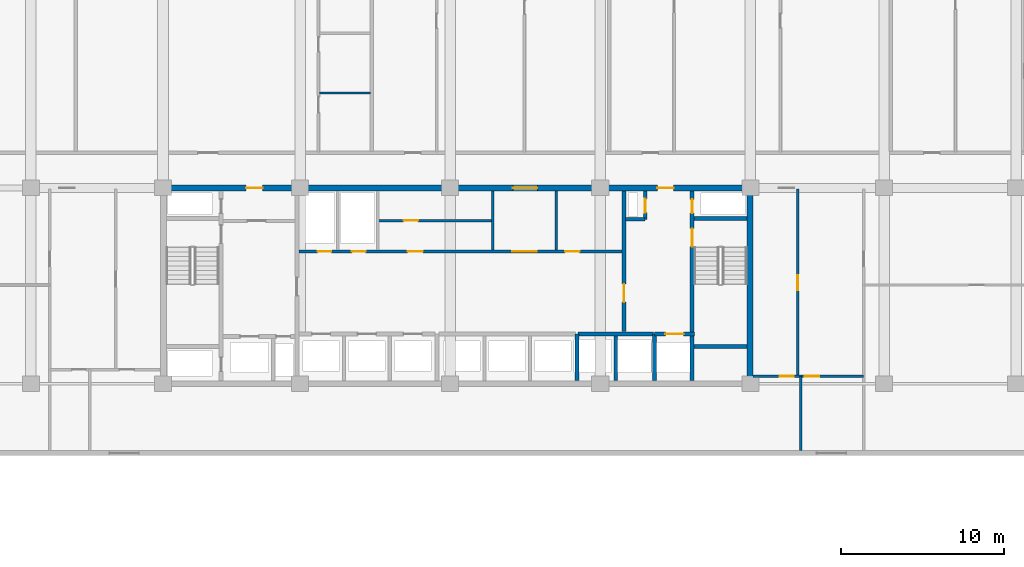
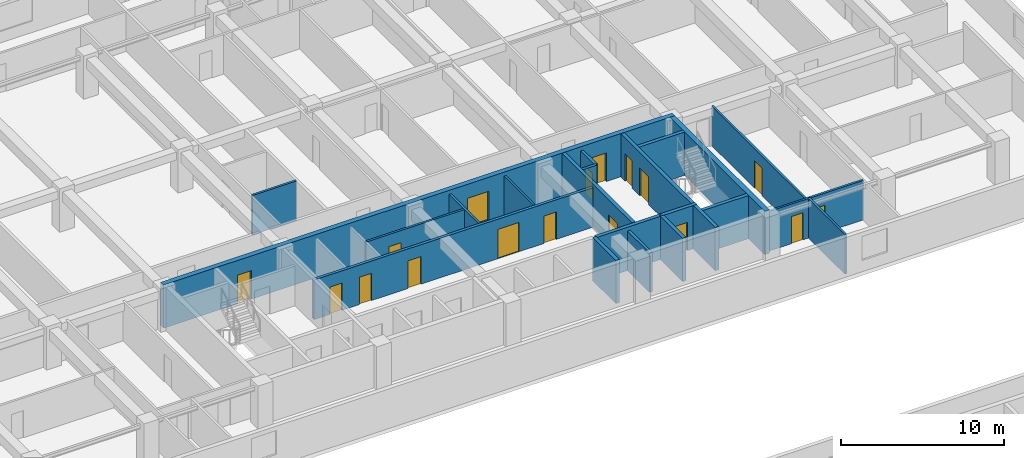
# One storey, part 12 of 24: 21 walls, 17 doors, 17 openings.
"""IFC4 building model written with IfcOpenShell, lengths in metres."""

from ifc_helpers import new_model, si_unit, direction, frame, frame_2d, origin, place, context, subcontext, project, spatial, rectangle, extrude, material, layer, layer_set, type_object, element, fill, save


model = new_model("IFC4")

# Units and contexts
model_context = context("Model", 3, precision=1e-05, world=origin(), true_north=direction((0.0, 1.0)))
body_context = subcontext(model_context, "Body", "Model", "MODEL_VIEW")
ifc_project = project(units=[si_unit("LENGTHUNIT", "METRE"), si_unit("AREAUNIT", "SQUARE_METRE"), si_unit("VOLUMEUNIT", "CUBIC_METRE"), si_unit("PLANEANGLEUNIT", "RADIAN"), si_unit("MASSUNIT", "GRAM", prefix="KILO")], contexts=[model_context])

# Site, building, storey
site_placement = place(None, origin())
site = spatial("IfcSite", under=ifc_project, at=site_placement, CompositionType="ELEMENT")
building_placement = place(site_placement, origin())
building = spatial("IfcBuilding", under=site, at=building_placement, Name="Korimba Cascade Residences", CompositionType="ELEMENT")
storey_placement = place(building_placement, frame((0.0, 0.0, 43.5)))
storey = spatial("IfcBuildingStorey", under=building, at=storey_placement, Name="L11", CompositionType="ELEMENT", Elevation=43.5)

# Wall
ifc_material_1 = material(Name="Concrete C65/80", Category="concrete")
ifc_layer_1 = layer(ifc_material_1, 0.35009765625)
ifc_layer_set_1 = layer_set([ifc_layer_1], Name="Concrete C65/80")
wall_type_1 = type_object("IfcWallType", Name="WAL-CORE-350", PredefinedType="SHEAR", material=ifc_layer_set_1)
wall_1_placement = place(storey_placement, frame((112.074951171875, 55.375, 0.0), z_axis=(0.0, 0.0, 1.0), x_axis=(0.0, 1.0, 0.0)))
element("IfcWall", 1, at=wall_1_placement, inside=storey, type_object=wall_type_1, Name="L11 Core Shear Wall CW-L11-T1-E", PredefinedType="SHEAR", context=body_context, shape_type="SweptSolid", body=[
    extrude(rectangle(XDim=11.64990234375, YDim=0.35009765625, at=frame_2d((5.824951171875, 0.0))), origin(), (0.0, 0.0, 1.0), 3.25),
])

# Wall, openings, doors
wall_2_placement = place(storey_placement, frame((75.949951171875, 67.199951171875, 0.0), z_axis=(0.0, 0.0, 1.0), x_axis=(1.0, 0.0, 0.0)))
wall_2 = element("IfcWall", 2, at=wall_2_placement, inside=storey, type_object=wall_type_1, Name="L11 Core Shear Wall CW-L11-T1-N", PredefinedType="SHEAR", context=body_context, shape_type="SweptSolid", body=[
    extrude(rectangle(XDim=36.300048828125, YDim=0.35009765625, at=frame_2d((18.14990234375, 0.0))), origin(), (0.0, 0.0, 1.0), 3.25),
])
opening_1_placement = place(wall_2_placement, frame((5.25, 0.0, 0.0)))
opening_1 = element("IfcOpeningElement", 3, at=opening_1_placement, cuts=wall_2, Name="Opening D-FD5", PredefinedType="OPENING", context=body_context, shape_type="SweptSolid", body=[
    extrude(rectangle(XDim=1.0, YDim=2.14990234375, at=frame_2d((0.5, 1.074951171875))), frame((0.0, 0.18505859375, 0.0), z_axis=(0.0, -1.0, 0.0), x_axis=(1.0, 0.0, 0.0)), (0.0, 0.0, 1.0), 0.3701171875),
])
opening_2_placement = place(wall_2_placement, frame((21.60009765625, 0.0, 0.0)))
opening_2 = element("IfcOpeningElement", 4, at=opening_2_placement, cuts=wall_2, Name="Opening D-FD8", PredefinedType="OPENING", context=body_context, shape_type="SweptSolid", body=[
    extrude(rectangle(XDim=1.5, YDim=2.199951171875, at=frame_2d((0.75, 1.10009765625))), frame((0.0, 0.18505859375, 0.0), z_axis=(0.0, -1.0, 0.0), x_axis=(1.0, 0.0, 0.0)), (0.0, 0.0, 1.0), 0.3701171875),
])
opening_3_placement = place(wall_2_placement, frame((30.449951171875, 0.0, 0.0)))
opening_3 = element("IfcOpeningElement", 5, at=opening_3_placement, cuts=wall_2, Name="Opening D-FD5", PredefinedType="OPENING", context=body_context, shape_type="SweptSolid", body=[
    extrude(rectangle(XDim=1.0, YDim=2.14990234375, at=frame_2d((0.5, 1.074951171875))), frame((0.0, 0.18505859375, 0.0), z_axis=(0.0, -1.0, 0.0), x_axis=(1.0, 0.0, 0.0)), (0.0, 0.0, 1.0), 0.3701171875),
])
ifc_material_2 = material(Name="Fire-Rated Acoustic Timber Vestibule Door", Category="wood")
door_type_1 = type_object("IfcDoorType", Name="DR-FD90-1000", OperationType="NOTDEFINED", PredefinedType="DOOR", material=ifc_material_2)
door_1_placement = place(opening_1_placement, origin())
door_1 = element("IfcDoor", 6, at=door_1_placement, inside=storey, type_object=door_type_1, Name="L11 T1 West Core Vestibule Fire Door", OperationType="SINGLE_SWING_RIGHT", OverallHeight=2.14990234375, OverallWidth=1.0, PredefinedType="DOOR", context=body_context, shape_type="SweptSolid", body=[
    extrude(rectangle(XDim=1.0, YDim=2.14990234375, at=frame_2d((0.5, 1.074951171875))), frame((0.0, 0.02490234375, 0.0), z_axis=(0.0, -1.0, 0.0), x_axis=(1.0, 0.0, 0.0)), (0.0, 0.0, 1.0), 0.050048828125),
])
fill(opening_1, door_1)
door_2_placement = place(opening_3_placement, origin())
door_2 = element("IfcDoor", 7, at=door_2_placement, inside=storey, type_object=door_type_1, Name="L11 T1 East Firefighting Vestibule Fire Door", OperationType="SINGLE_SWING_LEFT", OverallHeight=2.14990234375, OverallWidth=1.0, PredefinedType="DOOR", context=body_context, shape_type="SweptSolid", body=[
    extrude(rectangle(XDim=1.0, YDim=2.14990234375, at=frame_2d((0.5, 1.074951171875))), frame((0.0, 0.02490234375, 0.0), z_axis=(0.0, -1.0, 0.0), x_axis=(1.0, 0.0, 0.0)), (0.0, 0.0, 1.0), 0.050048828125),
])
fill(opening_3, door_2)
ifc_material_3 = material(Name="Fire-Rated Glazed Lift Lobby Double Door", Category="glass")
door_type_2 = type_object("IfcDoorType", Name="DR-FD90-1500", OperationType="NOTDEFINED", PredefinedType="DOOR", material=ifc_material_3)
door_3_placement = place(opening_2_placement, origin())
door_3 = element("IfcDoor", 8, at=door_3_placement, inside=storey, type_object=door_type_2, Name="L11 T1 Lift Lobby Fire Door", OperationType="DOUBLE_DOOR_SINGLE_SWING", OverallHeight=2.199951171875, OverallWidth=1.5, PredefinedType="DOOR", context=body_context, shape_type="SweptSolid", body=[
    extrude(rectangle(XDim=1.5, YDim=2.199951171875, at=frame_2d((0.75, 1.10009765625))), frame((0.0, 0.02490234375, 0.0), z_axis=(0.0, -1.0, 0.0), x_axis=(1.0, 0.0, 0.0)), (0.0, 0.0, 1.0), 0.050048828125),
])
fill(opening_2, door_3)

# Wall, opening, door
ifc_material_4 = material(Name="Insulated Acoustic Stud Partition", Category="gypsum")
ifc_layer_2 = layer(ifc_material_4, 0.14990234375)
ifc_layer_set_2 = layer_set([ifc_layer_2], Name="Insulated Acoustic Stud Partition")
wall_type_2 = type_object("IfcWallType", Name="WAL-PART-150", PredefinedType="PARTITIONING", material=ifc_layer_set_2)
wall_3_placement = place(storey_placement, frame((89.25, 65.199951171875, 0.0), z_axis=(0.0, 0.0, 1.0), x_axis=(1.0, 0.0, 0.0)))
wall_3 = element("IfcWall", 9, at=wall_3_placement, inside=storey, type_object=wall_type_2, Name="L11 Partition Wall CW-L11-T1-CA2HZ", PredefinedType="PARTITIONING", context=body_context, shape_type="SweptSolid", body=[
    extrude(rectangle(XDim=7.050048828125, YDim=0.14990234375, at=frame_2d((3.52490234375, 0.0))), origin(), (0.0, 0.0, 1.0), 2.969970703125),
])
opening_4_placement = place(wall_3_placement, frame((1.60009765625, 0.0, 0.0)))
opening_4 = element("IfcOpeningElement", 10, at=opening_4_placement, cuts=wall_3, Name="Opening D-IN2", PredefinedType="OPENING", context=body_context, shape_type="SweptSolid", body=[
    extrude(rectangle(XDim=0.8798828125, YDim=2.06005859375, at=frame_2d((0.43994140625, 1.030029296875))), frame((0.0, 0.0849609375, 0.0), z_axis=(0.0, -1.0, 0.0), x_axis=(1.0, 0.0, 0.0)), (0.0, 0.0, 1.0), 0.169921875),
])
ifc_material_5 = material(Name="Acoustic Timber Bedroom Door", Category="wood")
door_type_3 = type_object("IfcDoorType", Name="DR-INT-880", OperationType="NOTDEFINED", PredefinedType="DOOR", material=ifc_material_5)
door_4_placement = place(opening_4_placement, origin())
door_4 = element("IfcDoor", 11, at=door_4_placement, inside=storey, type_object=door_type_3, Name="L11 Pram Store Door", OperationType="SINGLE_SWING_RIGHT", OverallHeight=2.06005859375, OverallWidth=0.8798828125, PredefinedType="DOOR", context=body_context, shape_type="SweptSolid", body=[
    extrude(rectangle(XDim=0.8798828125, YDim=2.06005859375, at=frame_2d((0.43994140625, 1.030029296875))), frame((0.0, 0.02490234375, 0.0), z_axis=(0.0, -1.0, 0.0), x_axis=(1.0, 0.0, 0.0)), (0.0, 0.0, 1.0), 0.050048828125),
])
fill(opening_4, door_4)

# Walls
for number, where, z_axis, x_axis, name in (
    (12, (96.300048828125, 63.39990234375, 0.0), (0.0, 0.0, 1.0), (0.0, 1.0, 0.0), "L11 Partition Wall CW-L11-T1-THW"),
    (13, (100.199951171875, 63.39990234375, 0.0), (0.0, 0.0, 1.0), (0.0, 1.0, 0.0), "L11 Partition Wall CW-L11-T1-THE"),
):
    element("IfcWall", number, at=place(storey_placement, frame(where, z_axis=z_axis, x_axis=x_axis)), inside=storey, type_object=wall_type_2, Name=name, PredefinedType="PARTITIONING", context=body_context, shape_type="SweptSolid", body=[
        extrude(rectangle(XDim=3.60009765625, YDim=0.14990234375, at=frame_2d((1.800048828125, 0.0))), origin(), (0.0, 0.0, 1.0), 2.969970703125),
    ])

# Wall, opening, door
wall_4_placement = place(storey_placement, frame((115.0, 55.64990234375, 0.0), z_axis=(0.0, 0.0, 1.0), x_axis=(0.0, 1.0, 0.0)))
wall_4 = element("IfcWall", 14, at=wall_4_placement, inside=storey, type_object=wall_type_2, Name="L11 Partition Wall WAL-L11-T1-FE-VN", PredefinedType="PARTITIONING", context=body_context, shape_type="SweptSolid", body=[
    extrude(rectangle(XDim=11.5, YDim=0.14990234375, at=frame_2d((5.75, 0.0))), origin(), (0.0, 0.0, 1.0), 2.969970703125),
])
opening_5_placement = place(wall_4_placement, frame((5.2900390625, 0.0, 0.0)))
opening_5 = element("IfcOpeningElement", 15, at=opening_5_placement, cuts=wall_4, Name="Opening D-IN1", PredefinedType="OPENING", context=body_context, shape_type="SweptSolid", body=[
    extrude(rectangle(XDim=0.919921875, YDim=2.080078125, at=frame_2d((0.4599609375, 1.0400390625))), frame((0.0, 0.0849609375, 0.0), z_axis=(0.0, -1.0, 0.0), x_axis=(1.0, 0.0, 0.0)), (0.0, 0.0, 1.0), 0.169921875),
])
ifc_material_6 = material(Name="Acoustic Timber Living Door", Category="wood")
door_type_4 = type_object("IfcDoorType", Name="DR-INT-920", OperationType="NOTDEFINED", PredefinedType="DOOR", material=ifc_material_6)
door_5_placement = place(opening_5_placement, origin())
door_5 = element("IfcDoor", 16, at=door_5_placement, inside=storey, type_object=door_type_4, Name="L11-T1-FE Living Door", OperationType="SINGLE_SWING_LEFT", OverallHeight=2.080078125, OverallWidth=0.919921875, PredefinedType="DOOR", context=body_context, shape_type="SweptSolid", body=[
    extrude(rectangle(XDim=0.919921875, YDim=2.080078125, at=frame_2d((0.4599609375, 1.0400390625))), frame((0.0, 0.02490234375, 0.0), z_axis=(0.0, -1.0, 0.0), x_axis=(1.0, 0.0, 0.0)), (0.0, 0.0, 1.0), 0.050048828125),
])
fill(opening_5, door_5)

# Wall
wall_5_placement = place(storey_placement, frame((115.199951171875, 51.10009765625, 0.0), z_axis=(0.0, 0.0, 1.0), x_axis=(0.0, 1.0, 0.0)))
element("IfcWall", 17, at=wall_5_placement, inside=storey, type_object=wall_type_2, Name="L11 Partition Wall WAL-L11-T1-FE-VS", PredefinedType="PARTITIONING", context=body_context, shape_type="SweptSolid", body=[
    extrude(rectangle(XDim=4.5498046875, YDim=0.14990234375, at=frame_2d((2.27490234375, 0.0))), origin(), (0.0, 0.0, 1.0), 2.969970703125),
])

# Wall, openings, doors
wall_6_placement = place(storey_placement, frame((112.27001953125, 55.64990234375, 0.0), z_axis=(0.0, 0.0, 1.0), x_axis=(1.0, 0.0, 0.0)))
wall_6 = element("IfcWall", 18, at=wall_6_placement, inside=storey, type_object=wall_type_2, Name="L11 Partition Wall WAL-L11-T1-FE-H", PredefinedType="PARTITIONING", context=body_context, shape_type="SweptSolid", body=[
    extrude(rectangle(XDim=6.760009765625, YDim=0.14990234375, at=frame_2d((3.3798828125, 0.0))), origin(), (0.0, 0.0, 1.0), 2.969970703125),
])
opening_6_placement = place(wall_6_placement, frame((1.6396484375, 0.0, 0.0)))
opening_6 = element("IfcOpeningElement", 19, at=opening_6_placement, cuts=wall_6, Name="Opening D-BT1", PredefinedType="OPENING", context=body_context, shape_type="SweptSolid", body=[
    extrude(rectangle(XDim=0.840087890625, YDim=2.0400390625, at=frame_2d((0.419921875, 1.02001953125))), frame((0.0, 0.0849609375, 0.0), z_axis=(0.0, -1.0, 0.0), x_axis=(1.0, 0.0, 0.0)), (0.0, 0.0, 1.0), 0.169921875),
])
opening_7_placement = place(wall_6_placement, frame((3.160400390625, 0.0, 0.0)))
opening_7 = element("IfcOpeningElement", 20, at=opening_7_placement, cuts=wall_6, Name="Opening D-IN2", PredefinedType="OPENING", context=body_context, shape_type="SweptSolid", body=[
    extrude(rectangle(XDim=0.8798828125, YDim=2.06005859375, at=frame_2d((0.43994140625, 1.030029296875))), frame((0.0, 0.0849609375, 0.0), z_axis=(0.0, -1.0, 0.0), x_axis=(1.0, 0.0, 0.0)), (0.0, 0.0, 1.0), 0.169921875),
])
ifc_material_7 = material(Name="Moisture-Resistant Bathroom Timber Door", Category="wood")
door_type_5 = type_object("IfcDoorType", Name="DR-INT-850", OperationType="NOTDEFINED", PredefinedType="DOOR", material=ifc_material_7)
door_6_placement = place(opening_6_placement, origin())
door_6 = element("IfcDoor", 21, at=door_6_placement, inside=storey, type_object=door_type_5, Name="L11-T1-FE Bathroom Door", OperationType="SINGLE_SWING_RIGHT", OverallHeight=2.0400390625, OverallWidth=0.840087890625, PredefinedType="DOOR", context=body_context, shape_type="SweptSolid", body=[
    extrude(rectangle(XDim=0.840087890625, YDim=2.0400390625, at=frame_2d((0.419921875, 1.02001953125))), frame((0.0, 0.02490234375, 0.0), z_axis=(0.0, -1.0, 0.0), x_axis=(1.0, 0.0, 0.0)), (0.0, 0.0, 1.0), 0.050048828125),
])
fill(opening_6, door_6)
door_7_placement = place(opening_7_placement, origin())
door_7 = element("IfcDoor", 22, at=door_7_placement, inside=storey, type_object=door_type_3, Name="L11-T1-FE Bedroom Door", OperationType="SINGLE_SWING_LEFT", OverallHeight=2.06005859375, OverallWidth=0.8798828125, PredefinedType="DOOR", context=body_context, shape_type="SweptSolid", body=[
    extrude(rectangle(XDim=0.8798828125, YDim=2.06005859375, at=frame_2d((0.43994140625, 1.030029296875))), frame((0.0, 0.02490234375, 0.0), z_axis=(0.0, -1.0, 0.0), x_axis=(1.0, 0.0, 0.0)), (0.0, 0.0, 1.0), 0.050048828125),
])
fill(opening_7, door_7)

# Walls
wall_7_placement = place(storey_placement, frame((85.684326171875, 73.02001953125, 0.0), z_axis=(0.0, 0.0, 1.0), x_axis=(1.0, 0.0, 0.0)))
element("IfcWall", 23, at=wall_7_placement, inside=storey, type_object=wall_type_2, Name="L11 Partition Wall WAL-L11-T1-U02-WCH", PredefinedType="PARTITIONING", context=body_context, shape_type="SweptSolid", body=[
    extrude(rectangle(XDim=3.1298828125, YDim=0.14990234375, at=frame_2d((1.56494140625, 0.0))), origin(), (0.0, 0.0, 1.0), 2.969970703125),
])
ifc_material_8 = material(Name="Concrete C40/50", Category="concrete")
ifc_layer_3 = layer(ifc_material_8, 0.199951171875)
ifc_layer_set_3 = layer_set([ifc_layer_3], Name="Concrete C40/50")
wall_type_3 = type_object("IfcWallType", Name="WAL-PART-200", PredefinedType="PARTITIONING", material=ifc_layer_set_3)
wall_8_placement = place(storey_placement, frame((103.85009765625, 55.39990234375, 0.0), z_axis=(0.0, 0.0, 1.0), x_axis=(0.0, 1.0, 0.0)))
element("IfcWall", 24, at=wall_8_placement, inside=storey, type_object=wall_type_3, Name="L11 Partition Wall CW-L11-T1-B3D1", PredefinedType="PARTITIONING", context=body_context, shape_type="SweptSolid", body=[
    extrude(rectangle(XDim=2.72021484375, YDim=0.199951171875, at=frame_2d((1.360107421875, 0.0))), origin(), (0.0, 0.0, 1.0), 2.969970703125),
])

# Wall, openings, doors
wall_9_placement = place(storey_placement, frame((84.419921875, 63.300048828125, 0.0), z_axis=(0.0, 0.0, 1.0), x_axis=(1.0, 0.0, 0.0)))
wall_9 = element("IfcWall", 25, at=wall_9_placement, inside=storey, type_object=wall_type_3, Name="L11 Partition Wall CW-L11-T1-SRVROW", PredefinedType="PARTITIONING", context=body_context, shape_type="SweptSolid", body=[
    extrude(rectangle(XDim=19.830078125, YDim=0.199951171875, at=frame_2d((9.9150390625, 0.0))), origin(), (0.0, 0.0, 1.0), 2.969970703125),
])
opening_8_placement = place(wall_9_placement, frame((1.14990234375, 0.0, 0.0)))
opening_8 = element("IfcOpeningElement", 26, at=opening_8_placement, cuts=wall_9, Name="Opening D-RS1", PredefinedType="OPENING", context=body_context, shape_type="SweptSolid", body=[
    extrude(rectangle(XDim=0.85009765625, YDim=2.050048828125, at=frame_2d((0.425048828125, 1.02490234375))), frame((0.0, 0.10986328125, 0.0), z_axis=(0.0, -1.0, 0.0), x_axis=(1.0, 0.0, 0.0)), (0.0, 0.0, 1.0), 0.219970703125),
])
opening_9_placement = place(wall_9_placement, frame((3.25, 0.0, 0.0)))
opening_9 = element("IfcOpeningElement", 27, at=opening_9_placement, cuts=wall_9, Name="Opening D-RS1", PredefinedType="OPENING", context=body_context, shape_type="SweptSolid", body=[
    extrude(rectangle(XDim=0.85009765625, YDim=2.050048828125, at=frame_2d((0.425048828125, 1.02490234375))), frame((0.0, 0.10986328125, 0.0), z_axis=(0.0, -1.0, 0.0), x_axis=(1.0, 0.0, 0.0)), (0.0, 0.0, 1.0), 0.219970703125),
])
opening_10_placement = place(wall_9_placement, frame((13.080078125, 0.0, 0.0)))
opening_10 = element("IfcOpeningElement", 28, at=opening_10_placement, cuts=wall_9, Name="Opening D-FD8", PredefinedType="OPENING", context=body_context, shape_type="SweptSolid", body=[
    extrude(rectangle(XDim=1.5, YDim=2.199951171875, at=frame_2d((0.75, 1.10009765625))), frame((0.0, 0.10986328125, 0.0), z_axis=(0.0, -1.0, 0.0), x_axis=(1.0, 0.0, 0.0)), (0.0, 0.0, 1.0), 0.219970703125),
])
opening_11_placement = place(wall_9_placement, frame((6.679931640625, 0.0, 0.0)))
opening_11 = element("IfcOpeningElement", 29, at=opening_11_placement, cuts=wall_9, Name="Opening D-IN1", PredefinedType="OPENING", context=body_context, shape_type="SweptSolid", body=[
    extrude(rectangle(XDim=0.919921875, YDim=2.080078125, at=frame_2d((0.4599609375, 1.0400390625))), frame((0.0, 0.10986328125, 0.0), z_axis=(0.0, -1.0, 0.0), x_axis=(1.0, 0.0, 0.0)), (0.0, 0.0, 1.0), 0.219970703125),
])
opening_12_placement = place(wall_9_placement, frame((16.330078125, 0.0, 0.0)))
opening_12 = element("IfcOpeningElement", 30, at=opening_12_placement, cuts=wall_9, Name="Opening D-IN2", PredefinedType="OPENING", context=body_context, shape_type="SweptSolid", body=[
    extrude(rectangle(XDim=0.8798828125, YDim=2.06005859375, at=frame_2d((0.43994140625, 1.030029296875))), frame((0.0, 0.10986328125, 0.0), z_axis=(0.0, -1.0, 0.0), x_axis=(1.0, 0.0, 0.0)), (0.0, 0.0, 1.0), 0.219970703125),
])
ifc_material_9 = material(Name="Fire-Rated Steel Riser Access Door", Category="steel")
door_type_6 = type_object("IfcDoorType", Name="DR-FD60-850", OperationType="NOTDEFINED", PredefinedType="DOOR", material=ifc_material_9)
door_8_placement = place(opening_8_placement, origin())
door_8 = element("IfcDoor", 31, at=door_8_placement, inside=storey, type_object=door_type_6, Name="L11 Electrical Riser Door", OperationType="SINGLE_SWING_LEFT", OverallHeight=2.050048828125, OverallWidth=0.85009765625, PredefinedType="DOOR", context=body_context, shape_type="SweptSolid", body=[
    extrude(rectangle(XDim=0.85009765625, YDim=2.050048828125, at=frame_2d((0.425048828125, 1.02490234375))), frame((0.0, 0.02490234375, 0.0), z_axis=(0.0, -1.0, 0.0), x_axis=(1.0, 0.0, 0.0)), (0.0, 0.0, 1.0), 0.050048828125),
])
fill(opening_8, door_8)
door_9_placement = place(opening_9_placement, origin())
door_9 = element("IfcDoor", 32, at=door_9_placement, inside=storey, type_object=door_type_6, Name="L11 Plumbing Riser Door", OperationType="SINGLE_SWING_RIGHT", OverallHeight=2.050048828125, OverallWidth=0.85009765625, PredefinedType="DOOR", context=body_context, shape_type="SweptSolid", body=[
    extrude(rectangle(XDim=0.85009765625, YDim=2.050048828125, at=frame_2d((0.425048828125, 1.02490234375))), frame((0.0, 0.02490234375, 0.0), z_axis=(0.0, -1.0, 0.0), x_axis=(1.0, 0.0, 0.0)), (0.0, 0.0, 1.0), 0.050048828125),
])
fill(opening_9, door_9)
door_10_placement = place(opening_10_placement, origin())
door_10 = element("IfcDoor", 33, at=door_10_placement, inside=storey, type_object=door_type_2, Name="L11 Lift Lobby Foyer Archway Door", OperationType="DOUBLE_DOOR_SINGLE_SWING", OverallHeight=2.199951171875, OverallWidth=1.5, PredefinedType="DOOR", context=body_context, shape_type="SweptSolid", body=[
    extrude(rectangle(XDim=1.5, YDim=2.199951171875, at=frame_2d((0.75, 1.10009765625))), frame((0.0, 0.02490234375, 0.0), z_axis=(0.0, -1.0, 0.0), x_axis=(1.0, 0.0, 0.0)), (0.0, 0.0, 1.0), 0.050048828125),
])
fill(opening_10, door_10)
door_11_placement = place(opening_12_placement, origin())
door_11 = element("IfcDoor", 34, at=door_11_placement, inside=storey, type_object=door_type_3, Name="L11 Staff WC Door", OperationType="SINGLE_SWING_RIGHT", OverallHeight=2.06005859375, OverallWidth=0.8798828125, PredefinedType="DOOR", context=body_context, shape_type="SweptSolid", body=[
    extrude(rectangle(XDim=0.8798828125, YDim=2.06005859375, at=frame_2d((0.43994140625, 1.030029296875))), frame((0.0, 0.02490234375, 0.0), z_axis=(0.0, -1.0, 0.0), x_axis=(1.0, 0.0, 0.0)), (0.0, 0.0, 1.0), 0.050048828125),
])
fill(opening_12, door_11)
door_12_placement = place(opening_11_placement, origin())
door_12 = element("IfcDoor", 35, at=door_12_placement, inside=storey, type_object=door_type_4, Name="L11 Locker Room Door", OperationType="SINGLE_SWING_LEFT", OverallHeight=2.080078125, OverallWidth=0.919921875, PredefinedType="DOOR", context=body_context, shape_type="SweptSolid", body=[
    extrude(rectangle(XDim=0.919921875, YDim=2.080078125, at=frame_2d((0.4599609375, 1.0400390625))), frame((0.0, 0.02490234375, 0.0), z_axis=(0.0, -1.0, 0.0), x_axis=(1.0, 0.0, 0.0)), (0.0, 0.0, 1.0), 0.050048828125),
])
fill(opening_11, door_12)

# Wall
wall_10_placement = place(storey_placement, frame((104.449951171875, 65.280029296875, 0.0), z_axis=(0.0, 0.0, 1.0), x_axis=(1.0, 0.0, 0.0)))
element("IfcWall", 36, at=wall_10_placement, inside=storey, type_object=wall_type_3, Name="L11 Partition Wall CW-L11-T1-HYDW2S", PredefinedType="PARTITIONING", context=body_context, shape_type="SweptSolid", body=[
    extrude(rectangle(XDim=1.199951171875, YDim=0.199951171875, at=frame_2d((0.60009765625, 0.0))), origin(), (0.0, 0.0, 1.0), 2.969970703125),
])

# Wall, opening, door
wall_11_placement = place(storey_placement, frame((105.64990234375, 65.280029296875, 0.0), z_axis=(0.0, 0.0, 1.0), x_axis=(0.0, 1.0, 0.0)))
wall_11 = element("IfcWall", 37, at=wall_11_placement, inside=storey, type_object=wall_type_3, Name="L11 Partition Wall CW-L11-T1-HYDW2E", PredefinedType="PARTITIONING", context=body_context, shape_type="SweptSolid", body=[
    extrude(rectangle(XDim=1.719970703125, YDim=0.199951171875, at=frame_2d((0.85986328125, 0.0))), origin(), (0.0, 0.0, 1.0), 2.969970703125),
])
opening_13_placement = place(wall_11_placement, frame((0.39990234375, 0.0, 0.0)))
opening_13 = element("IfcOpeningElement", 38, at=opening_13_placement, cuts=wall_11, Name="Opening D-RS1", PredefinedType="OPENING", context=body_context, shape_type="SweptSolid", body=[
    extrude(rectangle(XDim=0.85009765625, YDim=2.050048828125, at=frame_2d((0.425048828125, 1.02490234375))), frame((0.0, 0.10986328125, 0.0), z_axis=(0.0, -1.0, 0.0), x_axis=(1.0, 0.0, 0.0)), (0.0, 0.0, 1.0), 0.219970703125),
])
door_13_placement = place(opening_13_placement, origin())
door_13 = element("IfcDoor", 39, at=door_13_placement, inside=storey, type_object=door_type_6, Name="L11 East Hydrant Door", OperationType="SINGLE_SWING_LEFT", OverallHeight=2.050048828125, OverallWidth=0.85009765625, PredefinedType="DOOR", context=body_context, shape_type="SweptSolid", body=[
    extrude(rectangle(XDim=0.85009765625, YDim=2.050048828125, at=frame_2d((0.425048828125, 1.02490234375))), frame((0.0, 0.02490234375, 0.0), z_axis=(0.0, -1.0, 0.0), x_axis=(1.0, 0.0, 0.0)), (0.0, 0.0, 1.0), 0.050048828125),
])
fill(opening_13, door_13)

# Walls
ifc_material_10 = material(Name="Concrete C50/60", Category="concrete")
ifc_layer_4 = layer(ifc_material_10, 0.25)
ifc_layer_set_4 = layer_set([ifc_layer_4], Name="Concrete C50/60")
wall_type_4 = type_object("IfcWallType", Name="WAL-SHAFT-250", PredefinedType="SHEAR", material=ifc_layer_set_4)
wall_12_placement = place(storey_placement, frame((101.47998046875, 55.39990234375, 0.0), z_axis=(0.0, 0.0, 1.0), x_axis=(0.0, 1.0, 0.0)))
element("IfcWall", 40, at=wall_12_placement, inside=storey, type_object=wall_type_4, Name="L11 Core Shear Wall CW-L11-T1-B23DIV", PredefinedType="SHEAR", context=body_context, shape_type="SweptSolid", body=[
    extrude(rectangle(XDim=2.85009765625, YDim=0.25, at=frame_2d((1.425048828125, 0.0))), origin(), (0.0, 0.0, 1.0), 3.25),
])
wall_13_placement = place(storey_placement, frame((101.550048828125, 58.25, 0.0), z_axis=(0.0, 0.0, 1.0), x_axis=(1.0, 0.0, 0.0)))
element("IfcWall", 41, at=wall_13_placement, inside=storey, type_object=wall_type_4, Name="L11 Core Shear Wall CW-L11-T1-B3N", PredefinedType="SHEAR", context=body_context, shape_type="SweptSolid", body=[
    extrude(rectangle(XDim=4.599853515625, YDim=0.25, at=frame_2d((2.2998046875, 0.0))), origin(), (0.0, 0.0, 1.0), 3.25),
])
wall_14_placement = place(storey_placement, frame((106.219970703125, 55.39990234375, 0.0), z_axis=(0.0, 0.0, 1.0), x_axis=(0.0, 1.0, 0.0)))
element("IfcWall", 42, at=wall_14_placement, inside=storey, type_object=wall_type_4, Name="L11 Core Shear Wall CW-L11-T1-FF2W", PredefinedType="SHEAR", context=body_context, shape_type="SweptSolid", body=[
    extrude(rectangle(XDim=2.85009765625, YDim=0.25, at=frame_2d((1.425048828125, 0.0))), origin(), (0.0, 0.0, 1.0), 3.25),
])

# Wall, opening, door
wall_15_placement = place(storey_placement, frame((106.219970703125, 58.25, 0.0), z_axis=(0.0, 0.0, 1.0), x_axis=(1.0, 0.0, 0.0)))
wall_15 = element("IfcWall", 43, at=wall_15_placement, inside=storey, type_object=wall_type_4, Name="L11 Core Shear Wall CW-L11-T1-FF2N", PredefinedType="SHEAR", context=body_context, shape_type="SweptSolid", body=[
    extrude(rectangle(XDim=2.4599609375, YDim=0.25, at=frame_2d((1.22998046875, 0.0))), origin(), (0.0, 0.0, 1.0), 3.25),
])
opening_14_placement = place(wall_15_placement, frame((0.669921875, 0.0, 0.0)))
opening_14 = element("IfcOpeningElement", 44, at=opening_14_placement, cuts=wall_15, Name="Opening LD-01", PredefinedType="OPENING", context=body_context, shape_type="SweptSolid", body=[
    extrude(rectangle(XDim=1.1201171875, YDim=2.1201171875, at=frame_2d((0.56005859375, 1.06005859375))), frame((0.0, 0.135009765625, 0.0), z_axis=(0.0, -1.0, 0.0), x_axis=(1.0, 0.0, 0.0)), (0.0, 0.0, 1.0), 0.27001953125),
])
ifc_material_11 = material(Name="Stainless Steel Lift Landing Sliding Door", Category="steel")
door_type_7 = type_object("IfcDoorType", Name="DR-LIFT-1100", OperationType="NOTDEFINED", PredefinedType="DOOR", material=ifc_material_11)
door_14_placement = place(opening_14_placement, origin())
door_14 = element("IfcDoor", 45, at=door_14_placement, inside=storey, type_object=door_type_7, Name="L11 Firefighting Lift Landing Door FFL-W2", OperationType="SLIDING_TO_RIGHT", OverallHeight=2.1201171875, OverallWidth=1.1201171875, PredefinedType="DOOR", context=body_context, shape_type="SweptSolid", body=[
    extrude(rectangle(XDim=1.1201171875, YDim=2.1201171875, at=frame_2d((0.56005859375, 1.06005859375))), frame((0.0, 0.02490234375, 0.0), z_axis=(0.0, -1.0, 0.0), x_axis=(1.0, 0.0, 0.0)), (0.0, 0.0, 1.0), 0.050048828125),
])
fill(opening_14, door_14)

wall_16_placement = place(storey_placement, frame((104.35009765625, 58.39990234375, 0.0), z_axis=(0.0, 0.0, 1.0), x_axis=(0.0, 1.0, 0.0)))
wall_16 = element("IfcWall", 46, at=wall_16_placement, inside=storey, type_object=wall_type_4, Name="L11 Core Shear Wall CW-L11-T1-LLEV", PredefinedType="SHEAR", context=body_context, shape_type="SweptSolid", body=[
    extrude(rectangle(XDim=8.60009765625, YDim=0.25, at=frame_2d((4.300048828125, 0.0))), origin(), (0.0, 0.0, 1.0), 3.25),
])
opening_15_placement = place(wall_16_placement, frame((1.800048828125, 0.0, 0.0)))
opening_15 = element("IfcOpeningElement", 47, at=opening_15_placement, cuts=wall_16, Name="Opening D-FD1", PredefinedType="OPENING", context=body_context, shape_type="SweptSolid", body=[
    extrude(rectangle(XDim=1.10009765625, YDim=2.10009765625, at=frame_2d((0.550048828125, 1.050048828125))), frame((0.0, 0.135009765625, 0.0), z_axis=(0.0, -1.0, 0.0), x_axis=(1.0, 0.0, 0.0)), (0.0, 0.0, 1.0), 0.27001953125),
])
ifc_material_12 = material(Name="Fire-Rated Steel Core Door", Category="steel")
door_type_8 = type_object("IfcDoorType", Name="DR-FD120-1100", OperationType="NOTDEFINED", PredefinedType="DOOR", material=ifc_material_12)
door_15_placement = place(opening_15_placement, origin())
door_15 = element("IfcDoor", 48, at=door_15_placement, inside=storey, type_object=door_type_8, Name="L11 Lift Lobby to East Firefighting Lobby Door", OperationType="SINGLE_SWING_RIGHT", OverallHeight=2.10009765625, OverallWidth=1.10009765625, PredefinedType="DOOR", context=body_context, shape_type="SweptSolid", body=[
    extrude(rectangle(XDim=1.10009765625, YDim=2.10009765625, at=frame_2d((0.550048828125, 1.050048828125))), frame((0.0, 0.02490234375, 0.0), z_axis=(0.0, -1.0, 0.0), x_axis=(1.0, 0.0, 0.0)), (0.0, 0.0, 1.0), 0.050048828125),
])
fill(opening_15, door_15)

# Wall, openings, doors
wall_17_placement = place(storey_placement, frame((108.534912109375, 55.39990234375, 0.0), z_axis=(0.0, 0.0, 1.0), x_axis=(0.0, 1.0, 0.0)))
wall_17 = element("IfcWall", 49, at=wall_17_placement, inside=storey, type_object=wall_type_4, Name="L11 Core Shear Wall CW-L11-T1-STW2W", PredefinedType="SHEAR", context=body_context, shape_type="SweptSolid", body=[
    extrude(rectangle(XDim=11.60009765625, YDim=0.25, at=frame_2d((5.800048828125, 0.0))), origin(), (0.0, 0.0, 1.0), 3.25),
])
opening_16_placement = place(wall_17_placement, frame((8.199951171875, 0.0, 0.0)))
opening_16 = element("IfcOpeningElement", 50, at=opening_16_placement, cuts=wall_17, Name="Opening D-FD1", PredefinedType="OPENING", context=body_context, shape_type="SweptSolid", body=[
    extrude(rectangle(XDim=1.10009765625, YDim=2.10009765625, at=frame_2d((0.550048828125, 1.050048828125))), frame((0.0, 0.135009765625, 0.0), z_axis=(0.0, -1.0, 0.0), x_axis=(1.0, 0.0, 0.0)), (0.0, 0.0, 1.0), 0.27001953125),
])
opening_17_placement = place(wall_17_placement, frame((10.25, 0.0, 0.0)))
opening_17 = element("IfcOpeningElement", 51, at=opening_17_placement, cuts=wall_17, Name="Opening D-RS1", PredefinedType="OPENING", context=body_context, shape_type="SweptSolid", body=[
    extrude(rectangle(XDim=0.85009765625, YDim=2.050048828125, at=frame_2d((0.425048828125, 1.02490234375))), frame((0.0, 0.135009765625, 0.0), z_axis=(0.0, -1.0, 0.0), x_axis=(1.0, 0.0, 0.0)), (0.0, 0.0, 1.0), 0.27001953125),
])
door_16_placement = place(opening_16_placement, origin())
door_16 = element("IfcDoor", 52, at=door_16_placement, inside=storey, type_object=door_type_8, Name="L11 Fire Stair ST-W2 Door", OperationType="SINGLE_SWING_LEFT", OverallHeight=2.10009765625, OverallWidth=1.10009765625, PredefinedType="DOOR", context=body_context, shape_type="SweptSolid", body=[
    extrude(rectangle(XDim=1.10009765625, YDim=2.10009765625, at=frame_2d((0.550048828125, 1.050048828125))), frame((0.0, 0.02490234375, 0.0), z_axis=(0.0, -1.0, 0.0), x_axis=(1.0, 0.0, 0.0)), (0.0, 0.0, 1.0), 0.050048828125),
])
fill(opening_16, door_16)
door_17_placement = place(opening_17_placement, origin())
door_17 = element("IfcDoor", 53, at=door_17_placement, inside=storey, type_object=door_type_6, Name="L11 East Riser Door", OperationType="SINGLE_SWING_RIGHT", OverallHeight=2.050048828125, OverallWidth=0.85009765625, PredefinedType="DOOR", context=body_context, shape_type="SweptSolid", body=[
    extrude(rectangle(XDim=0.85009765625, YDim=2.050048828125, at=frame_2d((0.425048828125, 1.02490234375))), frame((0.0, 0.02490234375, 0.0), z_axis=(0.0, -1.0, 0.0), x_axis=(1.0, 0.0, 0.0)), (0.0, 0.0, 1.0), 0.050048828125),
])
fill(opening_17, door_17)

# Walls
for number, where, z_axis, x_axis, name in (
    (54, (108.659912109375, 57.47509765625, 0.0), (0.0, 0.0, 1.0), (1.0, 0.0, 0.0), "L11 Core Shear Wall CW-L11-T1-STW2S"),
    (55, (108.659912109375, 65.324951171875, 0.0), (0.0, 0.0, 1.0), (1.0, 0.0, 0.0), "L11 Core Shear Wall CW-L11-T1-STW2N"),
):
    element("IfcWall", number, at=place(storey_placement, frame(where, z_axis=z_axis, x_axis=x_axis)), inside=storey, type_object=wall_type_4, Name=name, PredefinedType="SHEAR", context=body_context, shape_type="SweptSolid", body=[
        extrude(rectangle(XDim=3.239990234375, YDim=0.25, at=frame_2d((1.6201171875, 0.0))), origin(), (0.0, 0.0, 1.0), 3.25),
    ])

save(model, "model.ifc")
